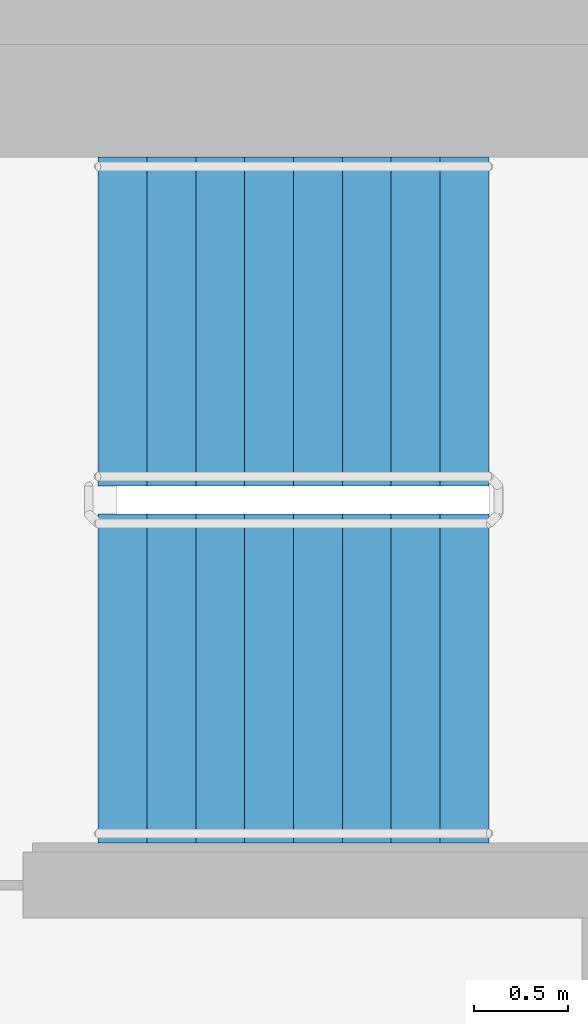
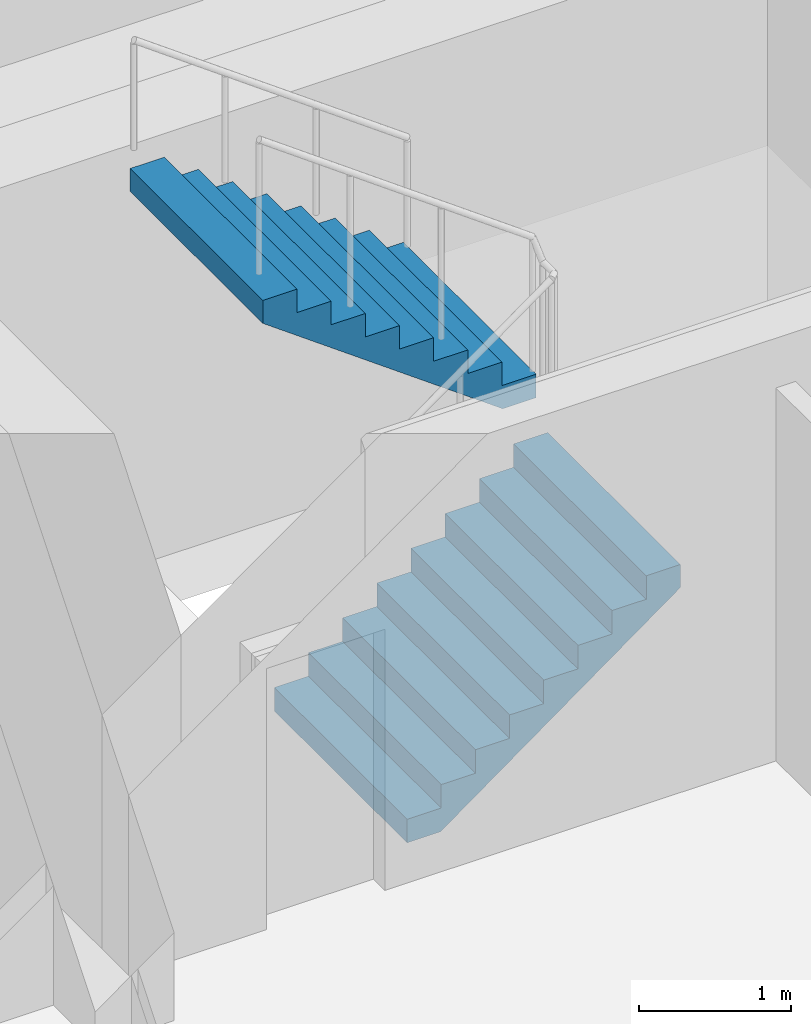
# One storey, part 13 of 18: 2 stair flights, 1 element without a shape of its own.
"""IFC4 building model written with IfcOpenShell, lengths in metres."""

from ifc_helpers import new_model, si_unit, direction, frame, origin, place, context, subcontext, project, spatial, faceted_brep, material, type_object, element, aggregate, save


model = new_model("IFC4")

# Units and contexts
model_context = context("Model", 3, precision=1e-05, world=origin(), true_north=direction((0.0, 1.0)))
body_context = subcontext(model_context, "Body", "Model", "MODEL_VIEW")
ifc_project = project(units=[si_unit("LENGTHUNIT", "METRE"), si_unit("AREAUNIT", "SQUARE_METRE"), si_unit("VOLUMEUNIT", "CUBIC_METRE"), si_unit("PLANEANGLEUNIT", "RADIAN"), si_unit("MASSUNIT", "GRAM", prefix="KILO")], contexts=[model_context])

# Site, building, storey
site_placement = place(None, origin())
site = spatial("IfcSite", under=ifc_project, at=site_placement, CompositionType="ELEMENT")
building_placement = place(site_placement, origin())
building = spatial("IfcBuilding", under=site, at=building_placement, Name="Ipe Terrace Towers", CompositionType="ELEMENT")
storey_placement = place(building_placement, frame((0.0, 0.0, 199.39990234375)))
storey = spatial("IfcBuildingStorey", under=building, at=storey_placement, Name="L55", CompositionType="ELEMENT", Elevation=199.39990234375)

# Stair, stair flights
ifc_material_1 = material(Name="Concrete C30/37", Category="concrete")
stair_type = type_object("IfcStairType", Name="Protected exit stair", PredefinedType="HALF_TURN_STAIR", material=ifc_material_1)
stair_placement = place(storey_placement, origin())
stair = element("IfcStair", 1, at=stair_placement, inside=storey, type_object=stair_type, Name="L55 Exit stair T1-C1", PredefinedType="HALF_TURN_STAIR")
ifc_material_2 = material(Name="Concrete C30/37", Category="concrete")
stair_flight_type = type_object("IfcStairFlightType", Name="Exit stair flight 1750", PredefinedType="STRAIGHT", material=ifc_material_2)
stair_flight_1_placement = place(storey_placement, frame((-26.300048828125, 2.77490234375, 0.0), z_axis=(0.0, 0.0, 1.0), x_axis=(1.0, 0.0, 0.0)))
stair_flight_1 = element("IfcStairFlight", 2, at=stair_flight_1_placement, type_object=stair_flight_type, Name="T1-ST1 flight 1", NumberOfRisers=9, NumberOfTreads=8, PredefinedType="STRAIGHT", RiserHeight=0.188888889, TreadLength=0.26, context=body_context, shape_type="Brep", body=[
    faceted_brep([(0.255126953125, -0.875, 0.0), (2.080078125, -0.875, 1.325927734375), (2.080078125, -0.875, 1.51123046875), (1.820068359375, -0.875, 1.51123046875), (1.820068359375, -0.875, 1.322265625), (1.56005859375, -0.875, 1.322265625), (1.56005859375, -0.875, 1.13330078125), (1.300048828125, -0.875, 1.13330078125), (1.300048828125, -0.875, 0.9443359375), (1.0400390625, -0.875, 0.9443359375), (1.0400390625, -0.875, 0.755615234375), (0.780029296875, -0.875, 0.755615234375), (0.780029296875, -0.875, 0.566650390625), (0.52001953125, -0.875, 0.566650390625), (0.52001953125, -0.875, 0.377685546875), (0.260009765625, -0.875, 0.377685546875), (0.260009765625, -0.875, 0.18896484375), (0.0, -0.875, 0.18896484375), (0.0, -0.875, 0.0), (0.0, 0.875, 0.0), (0.0, 0.875, 0.18896484375), (0.260009765625, 0.875, 0.18896484375), (0.260009765625, 0.875, 0.377685546875), (0.52001953125, 0.875, 0.377685546875), (0.52001953125, 0.875, 0.566650390625), (0.780029296875, 0.875, 0.566650390625), (0.780029296875, 0.875, 0.755615234375), (1.0400390625, 0.875, 0.755615234375), (1.0400390625, 0.875, 0.9443359375), (1.300048828125, 0.875, 0.9443359375), (1.300048828125, 0.875, 1.13330078125), (1.56005859375, 0.875, 1.13330078125), (1.56005859375, 0.875, 1.322265625), (1.820068359375, 0.875, 1.322265625), (1.820068359375, 0.875, 1.51123046875), (2.080078125, 0.875, 1.51123046875), (2.080078125, 0.875, 1.325927734375), (0.255126953125, 0.875, 0.0), (0.0, -0.300048828125, 0.18896484375), (0.0, -0.1201171875, 0.18896484375), (0.0, -0.06005859375, 0.18896484375), (0.0, -0.030029296875, 0.18896484375), (0.0, -0.010009765625, 0.18896484375), (0.0, 0.0, 0.18896484375), (0.0, 0.010009765625, 0.18896484375), (0.0, 0.030029296875, 0.18896484375), (0.0, 0.06005859375, 0.18896484375), (0.0, 0.1201171875, 0.18896484375), (0.0, 0.300048828125, 0.18896484375), (0.0, 0.300048828125, 0.0), (0.0, 0.1201171875, 0.0), (0.0, 0.06005859375, 0.0), (0.0, 0.030029296875, 0.0), (0.0, 0.010009765625, 0.0), (0.0, 0.0, 0.0), (0.0, -0.010009765625, 0.0), (0.0, -0.030029296875, 0.0), (0.0, -0.06005859375, 0.0), (0.0, -0.1201171875, 0.0), (0.0, -0.300048828125, 0.0), (0.260009765625, -0.300048828125, 0.18896484375), (0.260009765625, -0.1201171875, 0.18896484375), (0.260009765625, -0.06005859375, 0.18896484375), (0.260009765625, -0.030029296875, 0.18896484375), (0.260009765625, -0.010009765625, 0.18896484375), (0.260009765625, 0.0, 0.18896484375), (0.260009765625, 0.010009765625, 0.18896484375), (0.260009765625, 0.030029296875, 0.18896484375), (0.260009765625, 0.06005859375, 0.18896484375), (0.260009765625, 0.1201171875, 0.18896484375), (0.260009765625, 0.300048828125, 0.18896484375), (0.260009765625, -0.300048828125, 0.377685546875), (0.260009765625, -0.1201171875, 0.377685546875), (0.260009765625, -0.06005859375, 0.377685546875), (0.260009765625, -0.030029296875, 0.377685546875), (0.260009765625, -0.010009765625, 0.377685546875), (0.260009765625, 0.0, 0.377685546875), (0.260009765625, 0.010009765625, 0.377685546875), (0.260009765625, 0.030029296875, 0.377685546875), (0.260009765625, 0.06005859375, 0.377685546875), (0.260009765625, 0.1201171875, 0.377685546875), (0.260009765625, 0.300048828125, 0.377685546875), (0.52001953125, -0.300048828125, 0.377685546875), (0.52001953125, -0.1201171875, 0.377685546875), (0.52001953125, -0.06005859375, 0.377685546875), (0.52001953125, -0.030029296875, 0.377685546875), (0.52001953125, -0.010009765625, 0.377685546875), (0.52001953125, 0.0, 0.377685546875), (0.52001953125, 0.010009765625, 0.377685546875), (0.52001953125, 0.030029296875, 0.377685546875), (0.52001953125, 0.06005859375, 0.377685546875), (0.52001953125, 0.1201171875, 0.377685546875), (0.52001953125, 0.300048828125, 0.377685546875), (0.52001953125, -0.300048828125, 0.566650390625), (0.52001953125, -0.1201171875, 0.566650390625), (0.52001953125, -0.06005859375, 0.566650390625), (0.52001953125, -0.030029296875, 0.566650390625), (0.52001953125, -0.010009765625, 0.566650390625), (0.52001953125, 0.0, 0.566650390625), (0.52001953125, 0.010009765625, 0.566650390625), (0.52001953125, 0.030029296875, 0.566650390625), (0.52001953125, 0.06005859375, 0.566650390625), (0.52001953125, 0.1201171875, 0.566650390625), (0.52001953125, 0.300048828125, 0.566650390625), (0.780029296875, -0.300048828125, 0.566650390625), (0.780029296875, -0.1201171875, 0.566650390625), (0.780029296875, -0.06005859375, 0.566650390625), (0.780029296875, -0.030029296875, 0.566650390625), (0.780029296875, -0.010009765625, 0.566650390625), (0.780029296875, 0.0, 0.566650390625), (0.780029296875, 0.010009765625, 0.566650390625), (0.780029296875, 0.030029296875, 0.566650390625), (0.780029296875, 0.06005859375, 0.566650390625), (0.780029296875, 0.1201171875, 0.566650390625), (0.780029296875, 0.300048828125, 0.566650390625), (0.780029296875, -0.300048828125, 0.755615234375), (0.780029296875, -0.1201171875, 0.755615234375), (0.780029296875, -0.06005859375, 0.755615234375), (0.780029296875, -0.030029296875, 0.755615234375), (0.780029296875, -0.010009765625, 0.755615234375), (0.780029296875, 0.0, 0.755615234375), (0.780029296875, 0.010009765625, 0.755615234375), (0.780029296875, 0.030029296875, 0.755615234375), (0.780029296875, 0.06005859375, 0.755615234375), (0.780029296875, 0.1201171875, 0.755615234375), (0.780029296875, 0.300048828125, 0.755615234375), (1.0400390625, -0.300048828125, 0.755615234375), (1.0400390625, -0.1201171875, 0.755615234375), (1.0400390625, -0.06005859375, 0.755615234375), (1.0400390625, -0.030029296875, 0.755615234375), (1.0400390625, -0.010009765625, 0.755615234375), (1.0400390625, 0.0, 0.755615234375), (1.0400390625, 0.010009765625, 0.755615234375), (1.0400390625, 0.030029296875, 0.755615234375), (1.0400390625, 0.06005859375, 0.755615234375), (1.0400390625, 0.1201171875, 0.755615234375), (1.0400390625, 0.300048828125, 0.755615234375), (1.0400390625, -0.300048828125, 0.9443359375), (1.0400390625, -0.1201171875, 0.9443359375), (1.0400390625, -0.06005859375, 0.9443359375), (1.0400390625, -0.030029296875, 0.9443359375), (1.0400390625, -0.010009765625, 0.9443359375), (1.0400390625, 0.0, 0.9443359375), (1.0400390625, 0.010009765625, 0.9443359375), (1.0400390625, 0.030029296875, 0.9443359375), (1.0400390625, 0.06005859375, 0.9443359375), (1.0400390625, 0.1201171875, 0.9443359375), (1.0400390625, 0.300048828125, 0.9443359375), (1.300048828125, -0.300048828125, 0.9443359375), (1.300048828125, -0.1201171875, 0.9443359375), (1.300048828125, -0.06005859375, 0.9443359375), (1.300048828125, -0.030029296875, 0.9443359375), (1.300048828125, -0.010009765625, 0.9443359375), (1.300048828125, 0.0, 0.9443359375), (1.300048828125, 0.010009765625, 0.9443359375), (1.300048828125, 0.030029296875, 0.9443359375), (1.300048828125, 0.06005859375, 0.9443359375), (1.300048828125, 0.1201171875, 0.9443359375), (1.300048828125, 0.300048828125, 0.9443359375), (1.300048828125, -0.300048828125, 1.13330078125), (1.300048828125, -0.1201171875, 1.13330078125), (1.300048828125, -0.06005859375, 1.13330078125), (1.300048828125, -0.030029296875, 1.13330078125), (1.300048828125, -0.010009765625, 1.13330078125), (1.300048828125, 0.0, 1.13330078125), (1.300048828125, 0.010009765625, 1.13330078125), (1.300048828125, 0.030029296875, 1.13330078125), (1.300048828125, 0.06005859375, 1.13330078125), (1.300048828125, 0.1201171875, 1.13330078125), (1.300048828125, 0.300048828125, 1.13330078125), (1.56005859375, -0.300048828125, 1.13330078125), (1.56005859375, -0.1201171875, 1.13330078125), (1.56005859375, -0.06005859375, 1.13330078125), (1.56005859375, -0.030029296875, 1.13330078125), (1.56005859375, -0.010009765625, 1.13330078125), (1.56005859375, 0.0, 1.13330078125), (1.56005859375, 0.010009765625, 1.13330078125), (1.56005859375, 0.030029296875, 1.13330078125), (1.56005859375, 0.06005859375, 1.13330078125), (1.56005859375, 0.1201171875, 1.13330078125), (1.56005859375, 0.300048828125, 1.13330078125), (1.56005859375, -0.300048828125, 1.322265625), (1.56005859375, -0.1201171875, 1.322265625), (1.56005859375, -0.06005859375, 1.322265625), (1.56005859375, -0.030029296875, 1.322265625), (1.56005859375, -0.010009765625, 1.322265625), (1.56005859375, 0.0, 1.322265625), (1.56005859375, 0.010009765625, 1.322265625), (1.56005859375, 0.030029296875, 1.322265625), (1.56005859375, 0.06005859375, 1.322265625), (1.56005859375, 0.1201171875, 1.322265625), (1.56005859375, 0.300048828125, 1.322265625), (1.820068359375, -0.300048828125, 1.322265625), (1.820068359375, -0.1201171875, 1.322265625), (1.820068359375, -0.06005859375, 1.322265625), (1.820068359375, -0.030029296875, 1.322265625), (1.820068359375, -0.010009765625, 1.322265625), (1.820068359375, 0.0, 1.322265625), (1.820068359375, 0.010009765625, 1.322265625), (1.820068359375, 0.030029296875, 1.322265625), (1.820068359375, 0.06005859375, 1.322265625), (1.820068359375, 0.1201171875, 1.322265625), (1.820068359375, 0.300048828125, 1.322265625), (1.820068359375, -0.300048828125, 1.51123046875), (1.820068359375, -0.1201171875, 1.51123046875), (1.820068359375, -0.06005859375, 1.51123046875), (1.820068359375, -0.030029296875, 1.51123046875), (1.820068359375, -0.010009765625, 1.51123046875), (1.820068359375, 0.0, 1.51123046875), (1.820068359375, 0.010009765625, 1.51123046875), (1.820068359375, 0.030029296875, 1.51123046875), (1.820068359375, 0.06005859375, 1.51123046875), (1.820068359375, 0.1201171875, 1.51123046875), (1.820068359375, 0.300048828125, 1.51123046875), (2.080078125, -0.300048828125, 1.51123046875), (2.080078125, -0.1201171875, 1.51123046875), (2.080078125, -0.06005859375, 1.51123046875), (2.080078125, -0.030029296875, 1.51123046875), (2.080078125, -0.010009765625, 1.51123046875), (2.080078125, 0.0, 1.51123046875), (2.080078125, 0.010009765625, 1.51123046875), (2.080078125, 0.030029296875, 1.51123046875), (2.080078125, 0.06005859375, 1.51123046875), (2.080078125, 0.1201171875, 1.51123046875), (2.080078125, 0.300048828125, 1.51123046875), (2.080078125, -0.300048828125, 1.325927734375), (2.080078125, -0.1201171875, 1.325927734375), (2.080078125, -0.06005859375, 1.325927734375), (2.080078125, -0.030029296875, 1.325927734375), (2.080078125, -0.010009765625, 1.325927734375), (2.080078125, 0.0, 1.325927734375), (2.080078125, 0.010009765625, 1.325927734375), (2.080078125, 0.030029296875, 1.325927734375), (2.080078125, 0.06005859375, 1.325927734375), (2.080078125, 0.1201171875, 1.325927734375), (2.080078125, 0.300048828125, 1.325927734375), (0.255126953125, -0.300048828125, 0.0), (0.255126953125, -0.1201171875, 0.0), (0.255126953125, -0.06005859375, 0.0), (0.255126953125, -0.030029296875, 0.0), (0.255126953125, -0.010009765625, 0.0), (0.255126953125, 0.0, 0.0), (0.255126953125, 0.010009765625, 0.0), (0.255126953125, 0.030029296875, 0.0), (0.255126953125, 0.06005859375, 0.0), (0.255126953125, 0.1201171875, 0.0), (0.255126953125, 0.300048828125, 0.0)], [[[0, 1, 2, 3, 4, 5, 6, 7, 8, 9, 10, 11, 12, 13, 14, 15, 16, 17, 18]], [[19, 20, 21, 22, 23, 24, 25, 26, 27, 28, 29, 30, 31, 32, 33, 34, 35, 36, 37]], [[17, 38, 39, 40, 41, 42, 43, 44, 45, 46, 47, 48, 20, 19, 49, 50, 51, 52, 53, 54, 55, 56, 57, 58, 59, 18]], [[16, 60, 61, 62, 63, 64, 65, 66, 67, 68, 69, 70, 21, 20, 48, 47, 46, 45, 44, 43, 42, 41, 40, 39, 38, 17]], [[15, 71, 72, 73, 74, 75, 76, 77, 78, 79, 80, 81, 22, 21, 70, 69, 68, 67, 66, 65, 64, 63, 62, 61, 60, 16]], [[14, 82, 83, 84, 85, 86, 87, 88, 89, 90, 91, 92, 23, 22, 81, 80, 79, 78, 77, 76, 75, 74, 73, 72, 71, 15]], [[13, 93, 94, 95, 96, 97, 98, 99, 100, 101, 102, 103, 24, 23, 92, 91, 90, 89, 88, 87, 86, 85, 84, 83, 82, 14]], [[12, 104, 105, 106, 107, 108, 109, 110, 111, 112, 113, 114, 25, 24, 103, 102, 101, 100, 99, 98, 97, 96, 95, 94, 93, 13]], [[11, 115, 116, 117, 118, 119, 120, 121, 122, 123, 124, 125, 26, 25, 114, 113, 112, 111, 110, 109, 108, 107, 106, 105, 104, 12]], [[10, 126, 127, 128, 129, 130, 131, 132, 133, 134, 135, 136, 27, 26, 125, 124, 123, 122, 121, 120, 119, 118, 117, 116, 115, 11]], [[9, 137, 138, 139, 140, 141, 142, 143, 144, 145, 146, 147, 28, 27, 136, 135, 134, 133, 132, 131, 130, 129, 128, 127, 126, 10]], [[8, 148, 149, 150, 151, 152, 153, 154, 155, 156, 157, 158, 29, 28, 147, 146, 145, 144, 143, 142, 141, 140, 139, 138, 137, 9]], [[7, 159, 160, 161, 162, 163, 164, 165, 166, 167, 168, 169, 30, 29, 158, 157, 156, 155, 154, 153, 152, 151, 150, 149, 148, 8]], [[6, 170, 171, 172, 173, 174, 175, 176, 177, 178, 179, 180, 31, 30, 169, 168, 167, 166, 165, 164, 163, 162, 161, 160, 159, 7]], [[5, 181, 182, 183, 184, 185, 186, 187, 188, 189, 190, 191, 32, 31, 180, 179, 178, 177, 176, 175, 174, 173, 172, 171, 170, 6]], [[4, 192, 193, 194, 195, 196, 197, 198, 199, 200, 201, 202, 33, 32, 191, 190, 189, 188, 187, 186, 185, 184, 183, 182, 181, 5]], [[3, 203, 204, 205, 206, 207, 208, 209, 210, 211, 212, 213, 34, 33, 202, 201, 200, 199, 198, 197, 196, 195, 194, 193, 192, 4]], [[2, 214, 215, 216, 217, 218, 219, 220, 221, 222, 223, 224, 35, 34, 213, 212, 211, 210, 209, 208, 207, 206, 205, 204, 203, 3]], [[1, 225, 226, 227, 228, 229, 230, 231, 232, 233, 234, 235, 36, 35, 224, 223, 222, 221, 220, 219, 218, 217, 216, 215, 214, 2]], [[0, 236, 237, 238, 239, 240, 241, 242, 243, 244, 245, 246, 37, 36, 235, 234, 233, 232, 231, 230, 229, 228, 227, 226, 225, 1]], [[18, 59, 58, 57, 56, 55, 54, 53, 52, 51, 50, 49, 19, 37, 246, 245, 244, 243, 242, 241, 240, 239, 238, 237, 236, 0]]]),
])
stair_flight_2_placement = place(storey_placement, frame((-24.219970703125, 4.675048828125, 1.7001953125), z_axis=(0.0, 0.0, 1.0), x_axis=(-1.0, 0.0, 0.0)))
stair_flight_2 = element("IfcStairFlight", 3, at=stair_flight_2_placement, type_object=stair_flight_type, Name="T1-ST1 flight 2", NumberOfRisers=9, NumberOfTreads=8, PredefinedType="STRAIGHT", RiserHeight=0.188888889, TreadLength=0.26, context=body_context, shape_type="Brep", body=[
    faceted_brep([(0.255126953125, -0.875, 0.0), (2.080078125, -0.875, 1.325927734375), (2.080078125, -0.875, 1.51123046875), (1.820068359375, -0.875, 1.51123046875), (1.820068359375, -0.875, 1.322265625), (1.56005859375, -0.875, 1.322265625), (1.56005859375, -0.875, 1.13330078125), (1.300048828125, -0.875, 1.13330078125), (1.300048828125, -0.875, 0.9443359375), (1.0400390625, -0.875, 0.9443359375), (1.0400390625, -0.875, 0.755615234375), (0.780029296875, -0.875, 0.755615234375), (0.780029296875, -0.875, 0.566650390625), (0.52001953125, -0.875, 0.566650390625), (0.52001953125, -0.875, 0.377685546875), (0.260009765625, -0.875, 0.377685546875), (0.260009765625, -0.875, 0.18896484375), (0.0, -0.875, 0.18896484375), (0.0, -0.875, 0.0), (0.0, 0.875, 0.0), (0.0, 0.875, 0.18896484375), (0.260009765625, 0.875, 0.18896484375), (0.260009765625, 0.875, 0.377685546875), (0.52001953125, 0.875, 0.377685546875), (0.52001953125, 0.875, 0.566650390625), (0.780029296875, 0.875, 0.566650390625), (0.780029296875, 0.875, 0.755615234375), (1.0400390625, 0.875, 0.755615234375), (1.0400390625, 0.875, 0.9443359375), (1.300048828125, 0.875, 0.9443359375), (1.300048828125, 0.875, 1.13330078125), (1.56005859375, 0.875, 1.13330078125), (1.56005859375, 0.875, 1.322265625), (1.820068359375, 0.875, 1.322265625), (1.820068359375, 0.875, 1.51123046875), (2.080078125, 0.875, 1.51123046875), (2.080078125, 0.875, 1.325927734375), (0.255126953125, 0.875, 0.0), (0.0, -0.300048828125, 0.18896484375), (0.0, -0.1201171875, 0.18896484375), (0.0, -0.06005859375, 0.18896484375), (0.0, -0.030029296875, 0.18896484375), (0.0, -0.010009765625, 0.18896484375), (0.0, 0.0, 0.18896484375), (0.0, 0.010009765625, 0.18896484375), (0.0, 0.030029296875, 0.18896484375), (0.0, 0.06005859375, 0.18896484375), (0.0, 0.1201171875, 0.18896484375), (0.0, 0.300048828125, 0.18896484375), (0.0, 0.300048828125, 0.0), (0.0, 0.1201171875, 0.0), (0.0, 0.06005859375, 0.0), (0.0, 0.030029296875, 0.0), (0.0, 0.010009765625, 0.0), (0.0, 0.0, 0.0), (0.0, -0.010009765625, 0.0), (0.0, -0.030029296875, 0.0), (0.0, -0.06005859375, 0.0), (0.0, -0.1201171875, 0.0), (0.0, -0.300048828125, 0.0), (0.260009765625, -0.300048828125, 0.18896484375), (0.260009765625, -0.1201171875, 0.18896484375), (0.260009765625, -0.06005859375, 0.18896484375), (0.260009765625, -0.030029296875, 0.18896484375), (0.260009765625, -0.010009765625, 0.18896484375), (0.260009765625, 0.0, 0.18896484375), (0.260009765625, 0.010009765625, 0.18896484375), (0.260009765625, 0.030029296875, 0.18896484375), (0.260009765625, 0.06005859375, 0.18896484375), (0.260009765625, 0.1201171875, 0.18896484375), (0.260009765625, 0.300048828125, 0.18896484375), (0.260009765625, -0.300048828125, 0.377685546875), (0.260009765625, -0.1201171875, 0.377685546875), (0.260009765625, -0.06005859375, 0.377685546875), (0.260009765625, -0.030029296875, 0.377685546875), (0.260009765625, -0.010009765625, 0.377685546875), (0.260009765625, 0.0, 0.377685546875), (0.260009765625, 0.010009765625, 0.377685546875), (0.260009765625, 0.030029296875, 0.377685546875), (0.260009765625, 0.06005859375, 0.377685546875), (0.260009765625, 0.1201171875, 0.377685546875), (0.260009765625, 0.300048828125, 0.377685546875), (0.52001953125, -0.300048828125, 0.377685546875), (0.52001953125, -0.1201171875, 0.377685546875), (0.52001953125, -0.06005859375, 0.377685546875), (0.52001953125, -0.030029296875, 0.377685546875), (0.52001953125, -0.010009765625, 0.377685546875), (0.52001953125, 0.0, 0.377685546875), (0.52001953125, 0.010009765625, 0.377685546875), (0.52001953125, 0.030029296875, 0.377685546875), (0.52001953125, 0.06005859375, 0.377685546875), (0.52001953125, 0.1201171875, 0.377685546875), (0.52001953125, 0.300048828125, 0.377685546875), (0.52001953125, -0.300048828125, 0.566650390625), (0.52001953125, -0.1201171875, 0.566650390625), (0.52001953125, -0.06005859375, 0.566650390625), (0.52001953125, -0.030029296875, 0.566650390625), (0.52001953125, -0.010009765625, 0.566650390625), (0.52001953125, 0.0, 0.566650390625), (0.52001953125, 0.010009765625, 0.566650390625), (0.52001953125, 0.030029296875, 0.566650390625), (0.52001953125, 0.06005859375, 0.566650390625), (0.52001953125, 0.1201171875, 0.566650390625), (0.52001953125, 0.300048828125, 0.566650390625), (0.780029296875, -0.300048828125, 0.566650390625), (0.780029296875, -0.1201171875, 0.566650390625), (0.780029296875, -0.06005859375, 0.566650390625), (0.780029296875, -0.030029296875, 0.566650390625), (0.780029296875, -0.010009765625, 0.566650390625), (0.780029296875, 0.0, 0.566650390625), (0.780029296875, 0.010009765625, 0.566650390625), (0.780029296875, 0.030029296875, 0.566650390625), (0.780029296875, 0.06005859375, 0.566650390625), (0.780029296875, 0.1201171875, 0.566650390625), (0.780029296875, 0.300048828125, 0.566650390625), (0.780029296875, -0.300048828125, 0.755615234375), (0.780029296875, -0.1201171875, 0.755615234375), (0.780029296875, -0.06005859375, 0.755615234375), (0.780029296875, -0.030029296875, 0.755615234375), (0.780029296875, -0.010009765625, 0.755615234375), (0.780029296875, 0.0, 0.755615234375), (0.780029296875, 0.010009765625, 0.755615234375), (0.780029296875, 0.030029296875, 0.755615234375), (0.780029296875, 0.06005859375, 0.755615234375), (0.780029296875, 0.1201171875, 0.755615234375), (0.780029296875, 0.300048828125, 0.755615234375), (1.0400390625, -0.300048828125, 0.755615234375), (1.0400390625, -0.1201171875, 0.755615234375), (1.0400390625, -0.06005859375, 0.755615234375), (1.0400390625, -0.030029296875, 0.755615234375), (1.0400390625, -0.010009765625, 0.755615234375), (1.0400390625, 0.0, 0.755615234375), (1.0400390625, 0.010009765625, 0.755615234375), (1.0400390625, 0.030029296875, 0.755615234375), (1.0400390625, 0.06005859375, 0.755615234375), (1.0400390625, 0.1201171875, 0.755615234375), (1.0400390625, 0.300048828125, 0.755615234375), (1.0400390625, -0.300048828125, 0.9443359375), (1.0400390625, -0.1201171875, 0.9443359375), (1.0400390625, -0.06005859375, 0.9443359375), (1.0400390625, -0.030029296875, 0.9443359375), (1.0400390625, -0.010009765625, 0.9443359375), (1.0400390625, 0.0, 0.9443359375), (1.0400390625, 0.010009765625, 0.9443359375), (1.0400390625, 0.030029296875, 0.9443359375), (1.0400390625, 0.06005859375, 0.9443359375), (1.0400390625, 0.1201171875, 0.9443359375), (1.0400390625, 0.300048828125, 0.9443359375), (1.300048828125, -0.300048828125, 0.9443359375), (1.300048828125, -0.1201171875, 0.9443359375), (1.300048828125, -0.06005859375, 0.9443359375), (1.300048828125, -0.030029296875, 0.9443359375), (1.300048828125, -0.010009765625, 0.9443359375), (1.300048828125, 0.0, 0.9443359375), (1.300048828125, 0.010009765625, 0.9443359375), (1.300048828125, 0.030029296875, 0.9443359375), (1.300048828125, 0.06005859375, 0.9443359375), (1.300048828125, 0.1201171875, 0.9443359375), (1.300048828125, 0.300048828125, 0.9443359375), (1.300048828125, -0.300048828125, 1.13330078125), (1.300048828125, -0.1201171875, 1.13330078125), (1.300048828125, -0.06005859375, 1.13330078125), (1.300048828125, -0.030029296875, 1.13330078125), (1.300048828125, -0.010009765625, 1.13330078125), (1.300048828125, 0.0, 1.13330078125), (1.300048828125, 0.010009765625, 1.13330078125), (1.300048828125, 0.030029296875, 1.13330078125), (1.300048828125, 0.06005859375, 1.13330078125), (1.300048828125, 0.1201171875, 1.13330078125), (1.300048828125, 0.300048828125, 1.13330078125), (1.56005859375, -0.300048828125, 1.13330078125), (1.56005859375, -0.1201171875, 1.13330078125), (1.56005859375, -0.06005859375, 1.13330078125), (1.56005859375, -0.030029296875, 1.13330078125), (1.56005859375, -0.010009765625, 1.13330078125), (1.56005859375, 0.0, 1.13330078125), (1.56005859375, 0.010009765625, 1.13330078125), (1.56005859375, 0.030029296875, 1.13330078125), (1.56005859375, 0.06005859375, 1.13330078125), (1.56005859375, 0.1201171875, 1.13330078125), (1.56005859375, 0.300048828125, 1.13330078125), (1.56005859375, -0.300048828125, 1.322265625), (1.56005859375, -0.1201171875, 1.322265625), (1.56005859375, -0.06005859375, 1.322265625), (1.56005859375, -0.030029296875, 1.322265625), (1.56005859375, -0.010009765625, 1.322265625), (1.56005859375, 0.0, 1.322265625), (1.56005859375, 0.010009765625, 1.322265625), (1.56005859375, 0.030029296875, 1.322265625), (1.56005859375, 0.06005859375, 1.322265625), (1.56005859375, 0.1201171875, 1.322265625), (1.56005859375, 0.300048828125, 1.322265625), (1.820068359375, -0.300048828125, 1.322265625), (1.820068359375, -0.1201171875, 1.322265625), (1.820068359375, -0.06005859375, 1.322265625), (1.820068359375, -0.030029296875, 1.322265625), (1.820068359375, -0.010009765625, 1.322265625), (1.820068359375, 0.0, 1.322265625), (1.820068359375, 0.010009765625, 1.322265625), (1.820068359375, 0.030029296875, 1.322265625), (1.820068359375, 0.06005859375, 1.322265625), (1.820068359375, 0.1201171875, 1.322265625), (1.820068359375, 0.300048828125, 1.322265625), (1.820068359375, -0.300048828125, 1.51123046875), (1.820068359375, -0.1201171875, 1.51123046875), (1.820068359375, -0.06005859375, 1.51123046875), (1.820068359375, -0.030029296875, 1.51123046875), (1.820068359375, -0.010009765625, 1.51123046875), (1.820068359375, 0.0, 1.51123046875), (1.820068359375, 0.010009765625, 1.51123046875), (1.820068359375, 0.030029296875, 1.51123046875), (1.820068359375, 0.06005859375, 1.51123046875), (1.820068359375, 0.1201171875, 1.51123046875), (1.820068359375, 0.300048828125, 1.51123046875), (2.080078125, -0.300048828125, 1.51123046875), (2.080078125, -0.1201171875, 1.51123046875), (2.080078125, -0.06005859375, 1.51123046875), (2.080078125, -0.030029296875, 1.51123046875), (2.080078125, -0.010009765625, 1.51123046875), (2.080078125, 0.0, 1.51123046875), (2.080078125, 0.010009765625, 1.51123046875), (2.080078125, 0.030029296875, 1.51123046875), (2.080078125, 0.06005859375, 1.51123046875), (2.080078125, 0.1201171875, 1.51123046875), (2.080078125, 0.300048828125, 1.51123046875), (2.080078125, -0.300048828125, 1.325927734375), (2.080078125, -0.1201171875, 1.325927734375), (2.080078125, -0.06005859375, 1.325927734375), (2.080078125, -0.030029296875, 1.325927734375), (2.080078125, -0.010009765625, 1.325927734375), (2.080078125, 0.0, 1.325927734375), (2.080078125, 0.010009765625, 1.325927734375), (2.080078125, 0.030029296875, 1.325927734375), (2.080078125, 0.06005859375, 1.325927734375), (2.080078125, 0.1201171875, 1.325927734375), (2.080078125, 0.300048828125, 1.325927734375), (0.255126953125, -0.300048828125, 0.0), (0.255126953125, -0.1201171875, 0.0), (0.255126953125, -0.06005859375, 0.0), (0.255126953125, -0.030029296875, 0.0), (0.255126953125, -0.010009765625, 0.0), (0.255126953125, 0.0, 0.0), (0.255126953125, 0.010009765625, 0.0), (0.255126953125, 0.030029296875, 0.0), (0.255126953125, 0.06005859375, 0.0), (0.255126953125, 0.1201171875, 0.0), (0.255126953125, 0.300048828125, 0.0)], [[[0, 1, 2, 3, 4, 5, 6, 7, 8, 9, 10, 11, 12, 13, 14, 15, 16, 17, 18]], [[19, 20, 21, 22, 23, 24, 25, 26, 27, 28, 29, 30, 31, 32, 33, 34, 35, 36, 37]], [[17, 38, 39, 40, 41, 42, 43, 44, 45, 46, 47, 48, 20, 19, 49, 50, 51, 52, 53, 54, 55, 56, 57, 58, 59, 18]], [[16, 60, 61, 62, 63, 64, 65, 66, 67, 68, 69, 70, 21, 20, 48, 47, 46, 45, 44, 43, 42, 41, 40, 39, 38, 17]], [[15, 71, 72, 73, 74, 75, 76, 77, 78, 79, 80, 81, 22, 21, 70, 69, 68, 67, 66, 65, 64, 63, 62, 61, 60, 16]], [[14, 82, 83, 84, 85, 86, 87, 88, 89, 90, 91, 92, 23, 22, 81, 80, 79, 78, 77, 76, 75, 74, 73, 72, 71, 15]], [[13, 93, 94, 95, 96, 97, 98, 99, 100, 101, 102, 103, 24, 23, 92, 91, 90, 89, 88, 87, 86, 85, 84, 83, 82, 14]], [[12, 104, 105, 106, 107, 108, 109, 110, 111, 112, 113, 114, 25, 24, 103, 102, 101, 100, 99, 98, 97, 96, 95, 94, 93, 13]], [[11, 115, 116, 117, 118, 119, 120, 121, 122, 123, 124, 125, 26, 25, 114, 113, 112, 111, 110, 109, 108, 107, 106, 105, 104, 12]], [[10, 126, 127, 128, 129, 130, 131, 132, 133, 134, 135, 136, 27, 26, 125, 124, 123, 122, 121, 120, 119, 118, 117, 116, 115, 11]], [[9, 137, 138, 139, 140, 141, 142, 143, 144, 145, 146, 147, 28, 27, 136, 135, 134, 133, 132, 131, 130, 129, 128, 127, 126, 10]], [[8, 148, 149, 150, 151, 152, 153, 154, 155, 156, 157, 158, 29, 28, 147, 146, 145, 144, 143, 142, 141, 140, 139, 138, 137, 9]], [[7, 159, 160, 161, 162, 163, 164, 165, 166, 167, 168, 169, 30, 29, 158, 157, 156, 155, 154, 153, 152, 151, 150, 149, 148, 8]], [[6, 170, 171, 172, 173, 174, 175, 176, 177, 178, 179, 180, 31, 30, 169, 168, 167, 166, 165, 164, 163, 162, 161, 160, 159, 7]], [[5, 181, 182, 183, 184, 185, 186, 187, 188, 189, 190, 191, 32, 31, 180, 179, 178, 177, 176, 175, 174, 173, 172, 171, 170, 6]], [[4, 192, 193, 194, 195, 196, 197, 198, 199, 200, 201, 202, 33, 32, 191, 190, 189, 188, 187, 186, 185, 184, 183, 182, 181, 5]], [[3, 203, 204, 205, 206, 207, 208, 209, 210, 211, 212, 213, 34, 33, 202, 201, 200, 199, 198, 197, 196, 195, 194, 193, 192, 4]], [[2, 214, 215, 216, 217, 218, 219, 220, 221, 222, 223, 224, 35, 34, 213, 212, 211, 210, 209, 208, 207, 206, 205, 204, 203, 3]], [[1, 225, 226, 227, 228, 229, 230, 231, 232, 233, 234, 235, 36, 35, 224, 223, 222, 221, 220, 219, 218, 217, 216, 215, 214, 2]], [[0, 236, 237, 238, 239, 240, 241, 242, 243, 244, 245, 246, 37, 36, 235, 234, 233, 232, 231, 230, 229, 228, 227, 226, 225, 1]], [[18, 59, 58, 57, 56, 55, 54, 53, 52, 51, 50, 49, 19, 37, 246, 245, 244, 243, 242, 241, 240, 239, 238, 237, 236, 0]]]),
])
aggregate(stair, [stair_flight_1, stair_flight_2])

save(model, "model.ifc")
